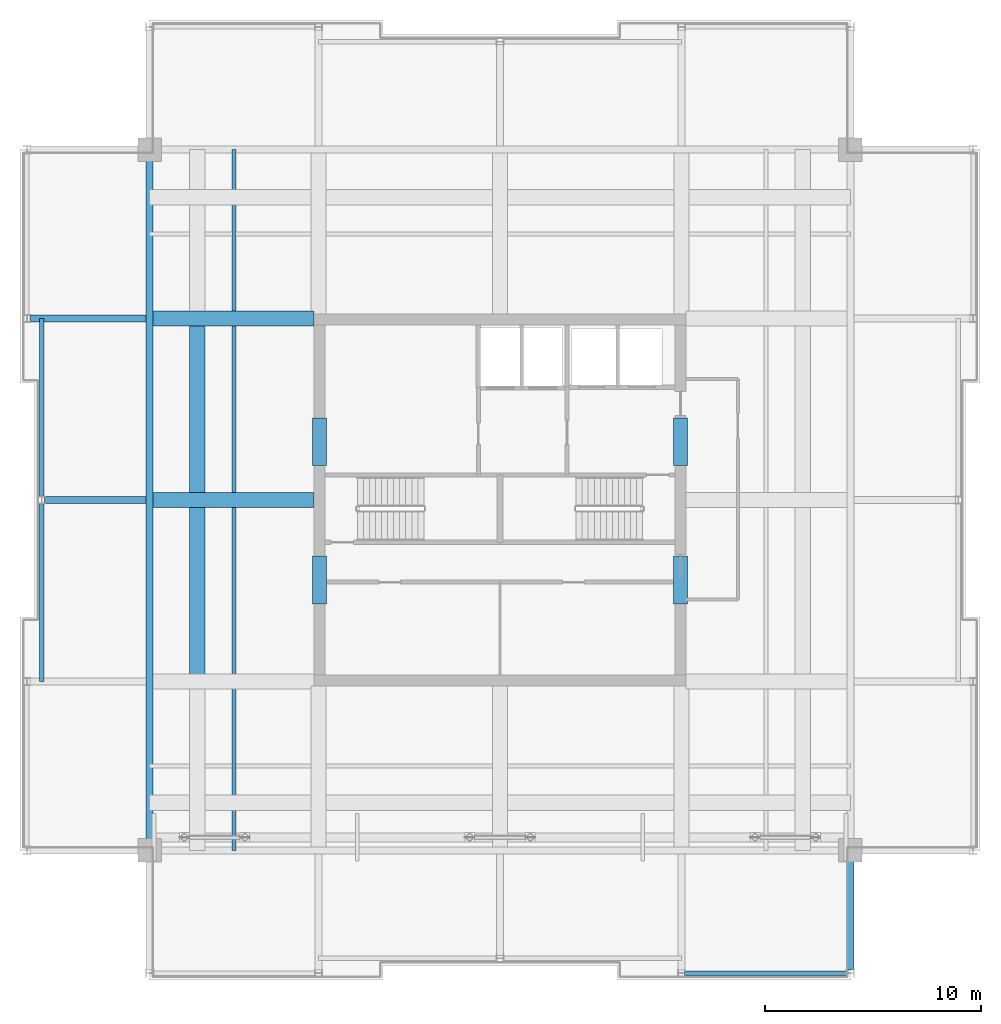
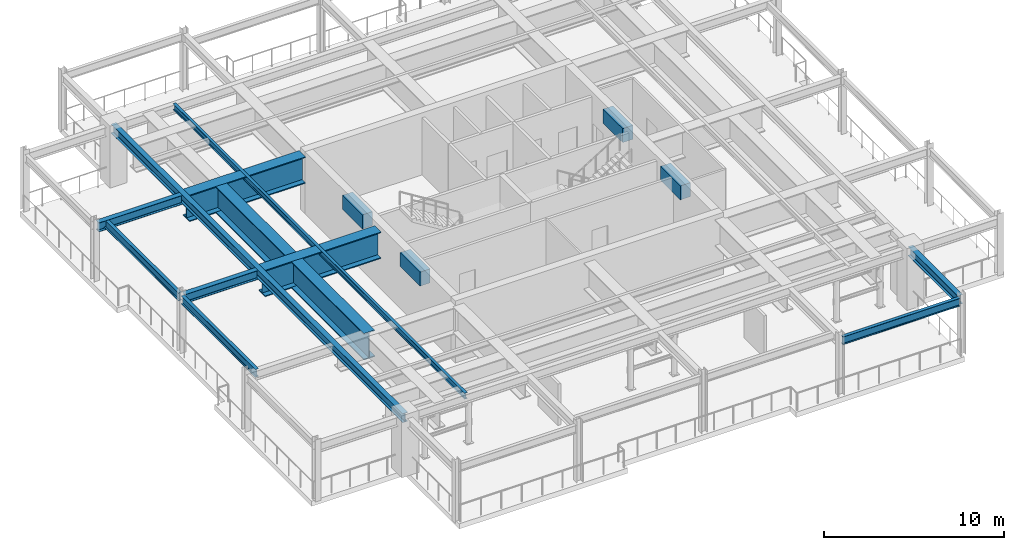
# One storey, part 5 of 12: 16 beams.
"""IFC4 building model written with IfcOpenShell, lengths in metres."""

from ifc_helpers import new_model, si_unit, direction, frame, origin, origin_2d, place, context, subcontext, project, spatial, rectangle, i_section, extrude, material, material_profile, profile_set, type_object, element, save


model = new_model("IFC4")

# Units and contexts
model_context = context("Model", 3, precision=1e-05, world=origin(), true_north=direction((0.0, 1.0)))
body_context = subcontext(model_context, "Body", "Model", "MODEL_VIEW")
ifc_project = project(units=[si_unit("LENGTHUNIT", "METRE"), si_unit("AREAUNIT", "SQUARE_METRE"), si_unit("VOLUMEUNIT", "CUBIC_METRE"), si_unit("PLANEANGLEUNIT", "RADIAN"), si_unit("MASSUNIT", "GRAM", prefix="KILO")], contexts=[model_context])

# Site, building, storey
site_placement = place(None, origin())
site = spatial("IfcSite", under=ifc_project, at=site_placement, CompositionType="ELEMENT")
building_placement = place(site_placement, origin())
building = spatial("IfcBuilding", under=site, at=building_placement, Name="Drelvath Grand Hotel", CompositionType="ELEMENT")
storey_placement = place(building_placement, frame((0.0, 0.0, 307.199951171875)))
storey = spatial("IfcBuildingStorey", under=building, at=storey_placement, Name="L80", CompositionType="ELEMENT", Elevation=307.199951171875)

# Beams
ifc_material_1 = material(Name="Steel ASTM A572 Gr 50", Category="steel")
ifc_material_profile_1 = material_profile(ifc_material_1, i_section(OverallWidth=0.699951171875, OverallDepth=1.800048828125, WebThickness=0.035888671875, FlangeThickness=0.06494140625, at=origin_2d()), Name="PG1800X700")
ifc_profile_set_1 = profile_set([ifc_material_profile_1], Name="Steel ASTM A572 Gr 50")
beam_type_1 = type_object("IfcBeamType", Name="Built-Up Transfer Girder PG1800X700", PredefinedType="BEAM", material=ifc_profile_set_1)
for number, where, z_axis, x_axis, name in (
    (1, (-14.0, 18.60009765625, 2.97998046875), (0.0, 1.0, 0.0), (-1.0, 0.0, 0.0), "L80 Crown Drum Transfer Girder West 2"),
    (2, (-14.0, 27.0, 2.97998046875), (0.0, 1.0, 0.0), (-1.0, 0.0, 0.0), "L80 Crown Drum Transfer Girder West 3"),
):
    element("IfcBeam", number, at=place(storey_placement, frame(where, z_axis=z_axis, x_axis=x_axis)), inside=storey, type_object=beam_type_1, Name=name, PredefinedType="BEAM", context=body_context, shape_type="SweptSolid", body=[
        extrude(i_section(OverallWidth=0.699951171875, OverallDepth=1.800048828125, WebThickness=0.035888671875, FlangeThickness=0.06494140625, at=origin_2d()), origin(), (0.0, 0.0, 1.0), 8.39990234375),
    ])
for number, where, z_axis, x_axis, name in (
    (3, (-16.0380859375, 27.0, 2.97998046875), (1.0, 0.0, 0.0), (0.0, 1.0, 0.0), "L80 Drum Cross Transfer West E"),
    (4, (-16.0380859375, 35.39990234375, 2.97998046875), (1.0, 0.0, 0.0), (0.0, 1.0, 0.0), "L80 Drum Cross Transfer West F"),
):
    element("IfcBeam", number, at=place(storey_placement, frame(where, z_axis=z_axis, x_axis=x_axis)), inside=storey, type_object=beam_type_1, Name=name, PredefinedType="BEAM", context=body_context, shape_type="SweptSolid", body=[
        extrude(i_section(OverallWidth=0.699951171875, OverallDepth=1.800048828125, WebThickness=0.035888671875, FlangeThickness=0.06494140625, at=origin_2d()), origin(), (0.0, 0.0, 1.0), 7.43798828125),
    ])
ifc_material_2 = material(Name="Steel ASTM A992 Gr 50", Category="steel")
ifc_material_profile_2 = material_profile(ifc_material_2, i_section(OverallWidth=0.177734375, OverallDepth=0.40673828125, WebThickness=0.0078125, FlangeThickness=0.0126953125, FilletRadius=0.014892578125, at=origin_2d()), Name="W16X40")
ifc_profile_set_2 = profile_set([ifc_material_profile_2], Name="Steel ASTM A992 Gr 50")
beam_type_2 = type_object("IfcBeamType", Name="Composite Floor Joist W16X40", PredefinedType="JOIST", material=ifc_profile_set_2)
beam_1_placement = place(storey_placement, frame((-12.300048828125, 10.800048828125, 3.6767578125), z_axis=(0.0, 1.0, 0.0), x_axis=(-1.0, 0.0, 0.0)))
element("IfcBeam", 5, at=beam_1_placement, inside=storey, type_object=beam_type_2, Name="L80 Wing Floor Joist J3", PredefinedType="JOIST", context=body_context, shape_type="SweptSolid", body=[
    extrude(i_section(OverallWidth=0.177734375, OverallDepth=0.40673828125, WebThickness=0.0078125, FlangeThickness=0.0126953125, FilletRadius=0.014892578125, at=origin_2d()), origin(), (0.0, 0.0, 1.0), 32.39990234375),
])
ifc_material_3 = material(Name="Concrete f'c 55 MPa", Category="concrete")
ifc_material_profile_3 = material_profile(ifc_material_3, rectangle(XDim=0.64990234375, YDim=0.949951171875, at=origin_2d()), Name="CB650X950")
ifc_profile_set_3 = profile_set([ifc_material_profile_3], Name="Concrete f'c 55 MPa")
beam_type_3 = type_object("IfcBeamType", Name="Core Coupling Lintel CB650X950", PredefinedType="LINTEL", material=ifc_profile_set_3)
for number, where, z_axis, x_axis, name in (
    (6, (-8.35009765625, 22.199951171875, 3.405029296875), (0.0, 1.0, 0.0), (-1.0, 0.0, 0.0), "L80 Core Coupling Lintel WS"),
    (7, (-8.35009765625, 28.60009765625, 3.405029296875), (0.0, 1.0, 0.0), (-1.0, 0.0, 0.0), "L80 Core Coupling Lintel WN"),
    (8, (8.35009765625, 22.199951171875, 3.405029296875), (0.0, 1.0, 0.0), (-1.0, 0.0, 0.0), "L80 Core Coupling Lintel ES"),
    (9, (8.35009765625, 28.60009765625, 3.405029296875), (0.0, 1.0, 0.0), (-1.0, 0.0, 0.0), "L80 Core Coupling Lintel EN"),
):
    element("IfcBeam", number, at=place(storey_placement, frame(where, z_axis=z_axis, x_axis=x_axis)), inside=storey, type_object=beam_type_3, Name=name, PredefinedType="LINTEL", context=body_context, shape_type="SweptSolid", body=[
        extrude(rectangle(XDim=0.64990234375, YDim=0.949951171875, at=origin_2d()), origin(), (0.0, 0.0, 1.0), 2.199951171875),
    ])
ifc_material_profile_4 = material_profile(ifc_material_2, i_section(OverallWidth=0.210205078125, OverallDepth=0.53662109375, WebThickness=0.010986328125, FlangeThickness=0.017333984375, FilletRadius=0.01806640625, at=origin_2d()), Name="W21X68")
ifc_profile_set_4 = profile_set([ifc_material_profile_4], Name="Steel ASTM A992 Gr 50")
beam_type_4 = type_object("IfcBeamType", Name="Perimeter Spandrel Beam W21X68", PredefinedType="SPANDREL", material=ifc_profile_set_4)
for number, where, z_axis, x_axis, name in (
    (10, (-21.199951171875, 18.60009765625, 3.611572265625), (0.0, 1.0, 0.0), (-1.0, 0.0, 0.0), "L80 Spandrel West Mid S"),
    (11, (-21.199951171875, 27.139892578125, 3.611572265625), (0.0, 1.0, 0.0), (-1.0, 0.0, 0.0), "L80 Spandrel West Mid N"),
):
    element("IfcBeam", number, at=place(storey_placement, frame(where, z_axis=z_axis, x_axis=x_axis)), inside=storey, type_object=beam_type_4, Name=name, PredefinedType="SPANDREL", context=body_context, shape_type="SweptSolid", body=[
        extrude(i_section(OverallWidth=0.210205078125, OverallDepth=0.53662109375, WebThickness=0.010986328125, FlangeThickness=0.017333984375, FilletRadius=0.01806640625, at=origin_2d()), origin(), (0.0, 0.0, 1.0), 8.260009765625),
    ])
beam_2_placement = place(storey_placement, frame((8.5400390625, 5.1201171875, 3.611572265625), z_axis=(1.0, 0.0, 0.0), x_axis=(0.0, 1.0, 0.0)))
element("IfcBeam", 12, at=beam_2_placement, inside=storey, type_object=beam_type_4, Name="L80 Spandrel South E", PredefinedType="SPANDREL", context=body_context, shape_type="SweptSolid", body=[
    extrude(i_section(OverallWidth=0.210205078125, OverallDepth=0.53662109375, WebThickness=0.010986328125, FlangeThickness=0.017333984375, FilletRadius=0.01806640625, at=origin_2d()), origin(), (0.0, 0.0, 1.0), 7.52001953125),
])
ifc_material_profile_5 = material_profile(ifc_material_2, i_section(OverallWidth=0.323974609375, OverallDepth=0.611083984375, WebThickness=0.0126953125, FlangeThickness=0.01904296875, FilletRadius=0.02197265625, at=origin_2d()), Name="W24X104")
ifc_profile_set_5 = profile_set([ifc_material_profile_5], Name="Steel ASTM A992 Gr 50")
beam_type_5 = type_object("IfcBeamType", Name="Primary Floor Girder W24X104", PredefinedType="BEAM", material=ifc_profile_set_5)
beam_3_placement = place(storey_placement, frame((-16.199951171875, 10.800048828125, 3.574462890625), z_axis=(0.0, 1.0, 0.0), x_axis=(-1.0, 0.0, 0.0)))
element("IfcBeam", 13, at=beam_3_placement, inside=storey, type_object=beam_type_5, Name="L80 Mega Ring Girder West", PredefinedType="BEAM", context=body_context, shape_type="SweptSolid", body=[
    extrude(i_section(OverallWidth=0.323974609375, OverallDepth=0.611083984375, WebThickness=0.0126953125, FlangeThickness=0.01904296875, FilletRadius=0.02197265625, at=origin_2d()), origin(), (0.0, 0.0, 1.0), 32.39990234375),
])
beam_4_placement = place(storey_placement, frame((-21.06005859375, 27.0, 3.574462890625), z_axis=(1.0, 0.0, 0.0), x_axis=(0.0, 1.0, 0.0)))
element("IfcBeam", 14, at=beam_4_placement, inside=storey, type_object=beam_type_5, Name="L80 West Wing Girder E", PredefinedType="BEAM", context=body_context, shape_type="SweptSolid", body=[
    extrude(i_section(OverallWidth=0.323974609375, OverallDepth=0.611083984375, WebThickness=0.0126953125, FlangeThickness=0.01904296875, FilletRadius=0.02197265625, at=origin_2d()), origin(), (0.0, 0.0, 1.0), 4.697998046875),
])
beam_5_placement = place(storey_placement, frame((-21.739990234375, 35.39990234375, 3.574462890625), z_axis=(1.0, 0.0, 0.0), x_axis=(0.0, 1.0, 0.0)))
element("IfcBeam", 15, at=beam_5_placement, inside=storey, type_object=beam_type_5, Name="L80 West Wing Girder F", PredefinedType="BEAM", context=body_context, shape_type="SweptSolid", body=[
    extrude(i_section(OverallWidth=0.323974609375, OverallDepth=0.611083984375, WebThickness=0.0126953125, FlangeThickness=0.01904296875, FilletRadius=0.02197265625, at=origin_2d()), origin(), (0.0, 0.0, 1.0), 5.3779296875),
])
beam_6_placement = place(storey_placement, frame((16.199951171875, 5.260009765625, 3.574462890625), z_axis=(0.0, 1.0, 0.0), x_axis=(-1.0, 0.0, 0.0)))
element("IfcBeam", 16, at=beam_6_placement, inside=storey, type_object=beam_type_5, Name="L80 South Grid Girder 7", PredefinedType="BEAM", context=body_context, shape_type="SweptSolid", body=[
    extrude(i_section(OverallWidth=0.323974609375, OverallDepth=0.611083984375, WebThickness=0.0126953125, FlangeThickness=0.01904296875, FilletRadius=0.02197265625, at=origin_2d()), origin(), (0.0, 0.0, 1.0), 5.5400390625),
])

save(model, "model.ifc")
